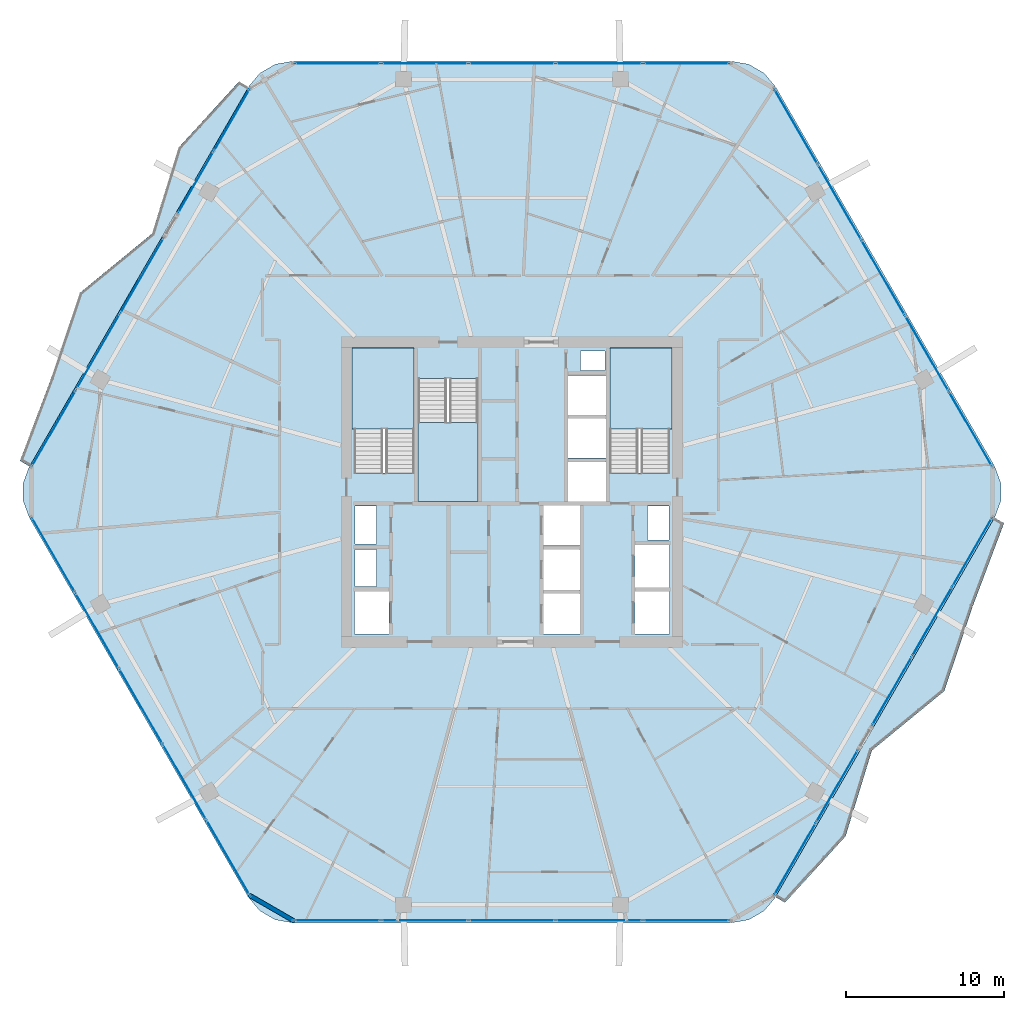
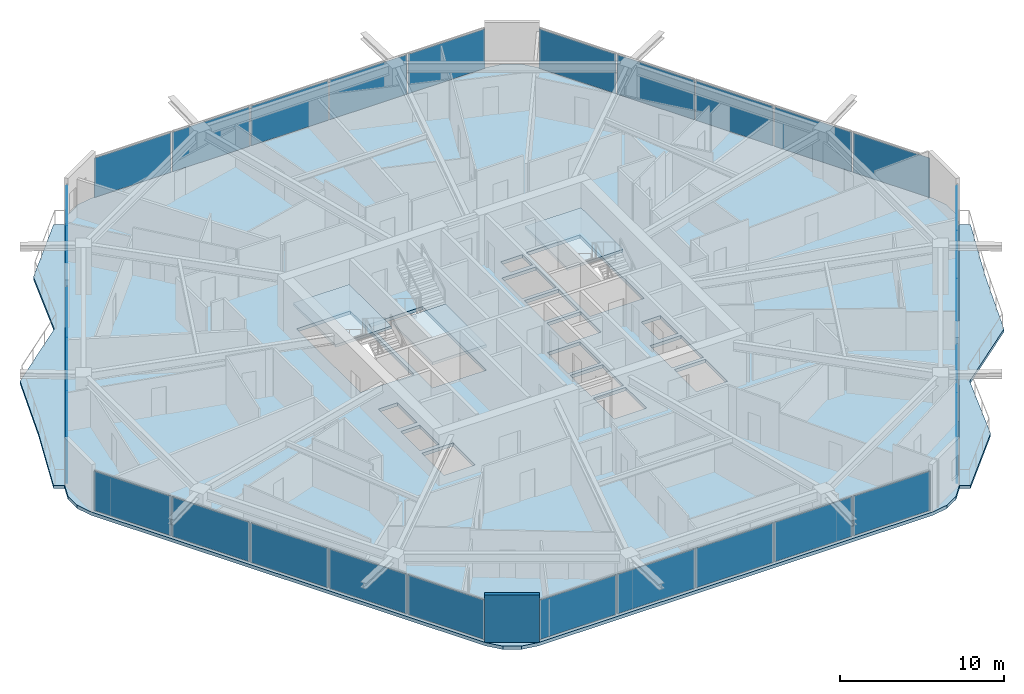
# One storey, part 16 of 26: 30 plates, 6 slabs, 1 wall, 11 elements without a shape of their own.
"""IFC4 building model written with IfcOpenShell, lengths in metres."""

import ifcopenshell
import ifcopenshell.guid

model = None  # the IFC model being written
_history = None  # IfcOwnerHistory: only IFC2X3 demands one
_inside = {}  # id of a spatial element -> (the spatial element, [elements in it])
_under = {}  # id of a project, library or spatial element -> (it, [spatial elements below it])
_declared = {}  # id of a project -> (the project, [libraries it declares])
_typed = {}  # id of a type object -> (the type object, [elements of that type])
_made_of = {}  # id of a material, layer set ... -> (it, [elements and type objects made of it])


def new_model(schema):
    """Start an empty IFC model of exactly this schema.

    Asked for "IFC4X3", IfcOpenShell would pick the latest addendum, in which some entities
    have other attributes; the version numbers below select the first issue.
    IFC2X3 requires an IfcOwnerHistory on every rooted entity: one is made here for all.
    """
    global model, _history
    if schema == "IFC4X3":
        model = ifcopenshell.file(schema_version=(4, 3, 0, 0))
    else:
        model = ifcopenshell.file(schema=schema)
    _inside.clear()
    _under.clear()
    _declared.clear()
    _typed.clear()
    _made_of.clear()
    _history = None
    if model.schema == "IFC2X3":
        org = make("IfcOrganization", Name="unknown")
        user = make(
            "IfcPersonAndOrganization",
            ThePerson=make("IfcPerson", FamilyName="unknown"),
            TheOrganization=org,
        )
        app = make(
            "IfcApplication",
            ApplicationDeveloper=org,
            Version="unknown",
            ApplicationFullName="unknown",
            ApplicationIdentifier="unknown",
        )
        _history = make(
            "IfcOwnerHistory",
            OwningUser=user,
            OwningApplication=app,
            ChangeAction="ADDED",
            CreationDate=0,
        )
    return model


def make(cls, **values):
    """One entity of the class cls with the attributes given. An attribute that is None is left unset."""
    return model.create_entity(
        cls, **{name: value for name, value in values.items() if value is not None}
    )


def rooted(cls, **values):
    """An entity with a GlobalId (a new one), such as an element, a storey or a relation."""
    return make(cls, GlobalId=ifcopenshell.guid.new(), OwnerHistory=_history, **values)


def si_unit(unit_type, name, prefix=None):
    """IfcSIUnit, for example si_unit("LENGTHUNIT", "METRE", prefix="MILLI")."""
    return make("IfcSIUnit", UnitType=unit_type, Prefix=prefix, Name=name)


def assignment(units):
    """IfcUnitAssignment: the units of a project."""
    return None if units is None else make("IfcUnitAssignment", Units=units)


def point(xyz):
    """IfcCartesianPoint."""
    return None if xyz is None else make("IfcCartesianPoint", Coordinates=xyz)


def direction(xyz):
    """IfcDirection."""
    return None if xyz is None else make("IfcDirection", DirectionRatios=xyz)


def frame(location, z_axis=None, x_axis=None):
    """IfcAxis2Placement3D, a coordinate frame: its origin and axes. An axis left out is left unset."""
    return make(
        "IfcAxis2Placement3D",
        Location=point(location),
        Axis=direction(z_axis),
        RefDirection=direction(x_axis),
    )


def frame_2d(location, x_axis=None):
    """IfcAxis2Placement2D, a coordinate frame in the plane: its origin and x axis."""
    return make(
        "IfcAxis2Placement2D", Location=point(location), RefDirection=direction(x_axis)
    )


def origin():
    """The frame at (0, 0, 0) with its axes left unset."""
    return frame((0.0, 0.0, 0.0))


def origin_2d():
    """The frame at (0, 0) in the plane with its x axis left unset."""
    return frame_2d((0.0, 0.0))


def place(relative_to, where):
    """IfcLocalPlacement: puts the frame where relative to a parent placement (None: the world)."""
    return make(
        "IfcLocalPlacement", PlacementRelTo=relative_to, RelativePlacement=where
    )


def context(
    kind, dimensions, precision=None, world=None, true_north=None, identifier=None
):
    """IfcGeometricRepresentationContext, for example the 3D "Model" context."""
    return make(
        "IfcGeometricRepresentationContext",
        ContextIdentifier=identifier,
        ContextType=kind,
        CoordinateSpaceDimension=dimensions,
        Precision=precision,
        WorldCoordinateSystem=world,
        TrueNorth=true_north,
    )


def subcontext(parent, identifier, kind, view, scale=None):
    """IfcGeometricRepresentationSubContext, for example "Body" below "Model"."""
    return make(
        "IfcGeometricRepresentationSubContext",
        ContextIdentifier=identifier,
        ContextType=kind,
        ParentContext=parent,
        TargetScale=scale,
        TargetView=view,
    )


def project(units=None, contexts=None):
    """IfcProject with its units and contexts."""
    return rooted(
        "IfcProject",
        Name="project",
        RepresentationContexts=contexts,
        UnitsInContext=assignment(units),
    )


def spatial(cls, under=None, at=None, **own):
    """A site, building, storey or space (cls), placed at a placement, below another one or the project."""
    s = rooted(cls, ObjectPlacement=at, **own)
    if under is not None:
        _under.setdefault(under.id(), (under, []))[1].append(s)
    return s


def polyline(points):
    """IfcPolyline through the points."""
    return make("IfcPolyline", Points=[point(p) for p in points])


def profile(cls, at=None, kind="AREA", **sizes):
    """A parametric profile (cls). Its sizes go by their IFC names, for example OverallWidth=200.0."""
    return make(cls, ProfileType=kind, Position=at, **sizes)


def rectangle(**sizes):
    """IfcRectangleProfileDef."""
    return profile("IfcRectangleProfileDef", **sizes)


def outline(outer, holes=None, kind="AREA"):
    """IfcArbitraryClosedProfileDef: a profile drawn as a closed curve; with holes, ...WithVoids."""
    if holes is None:
        return make("IfcArbitraryClosedProfileDef", ProfileType=kind, OuterCurve=outer)
    return make(
        "IfcArbitraryProfileDefWithVoids",
        ProfileType=kind,
        OuterCurve=outer,
        InnerCurves=holes,
    )


def extrude(swept, where, along, depth):
    """IfcExtrudedAreaSolid: the profile swept, set in the frame where, extruded along a direction by depth."""
    return make(
        "IfcExtrudedAreaSolid",
        SweptArea=swept,
        Position=where,
        ExtrudedDirection=direction(along),
        Depth=depth,
    )


def shape(context_of_items, identifier, shape_type, items):
    """IfcShapeRepresentation: the items that make up one representation, for example the "Body"."""
    return make(
        "IfcShapeRepresentation",
        ContextOfItems=context_of_items,
        RepresentationIdentifier=identifier,
        RepresentationType=shape_type,
        Items=items,
    )


def material(Name=None, Category=None):
    """IfcMaterial."""
    return make("IfcMaterial", Name=Name, Category=Category)


def layer(
    of_material, thickness, ventilated=None, Name=None, Category=None, Priority=None
):
    """IfcMaterialLayer: one layer of a wall or slab, of a material (None: an air gap)."""
    return make(
        "IfcMaterialLayer",
        Material=of_material,
        LayerThickness=thickness,
        IsVentilated=ventilated,
        Name=Name,
        Category=Category,
        Priority=Priority,
    )


def layer_set(layers, Name=None):
    """IfcMaterialLayerSet."""
    return make("IfcMaterialLayerSet", MaterialLayers=layers, LayerSetName=Name)


def made_of(thing, what):
    """Note that an element or type object is made of a material, layer set ...; save() writes the relation."""
    if what is not None:
        _made_of.setdefault(what.id(), (what, []))[1].append(thing)
    return thing


def type_object(cls, material=None, **own):
    """A type object (cls), such as IfcWallType, which elements share."""
    return made_of(rooted(cls, **own), material)


def element(
    cls,
    number,
    at=None,
    inside=None,
    cuts=None,
    type_object=None,
    material=None,
    context=None,
    identifier="Body",
    shape_type=None,
    held_by="IfcProductDefinitionShape",
    body=None,
    shapes=None,
    **own,
):
    """One element of the class cls, such as IfcWall. Its Tag is "e" and its number.

    at: its placement. inside: the storey or other place that contains it. cuts: it is an
    opening in that element (IfcRelVoidsElement). A single representation is given by context,
    identifier, shape_type and body (its items); several are given by shapes. held_by: the class
    of the entity that holds the representations. save() writes the other relations.
    """
    e = rooted(cls, Tag="e%d" % number, ObjectPlacement=at, **own)
    if body is not None:
        shapes = [shape(context, identifier, shape_type, body)]
    if shapes is not None:
        e.Representation = make(held_by, Representations=shapes)
    if inside is not None:
        _inside.setdefault(inside.id(), (inside, []))[1].append(e)
    if cuts is not None:
        rooted(
            "IfcRelVoidsElement", RelatingBuildingElement=cuts, RelatedOpeningElement=e
        )
    if type_object is not None:
        _typed.setdefault(type_object.id(), (type_object, []))[1].append(e)
    return made_of(e, material)


def aggregate(whole, parts):
    """IfcRelAggregates: a whole, such as a stair, and the parts it consists of."""
    return rooted("IfcRelAggregates", RelatingObject=whole, RelatedObjects=parts)


def save(model, path):
    """Write the relations noted so far, then the file.

    IfcRelAggregates (storeys below a building ...), IfcRelContainedInSpatialStructure (elements
    in a storey), IfcRelDefinesByType, IfcRelAssociatesMaterial and IfcRelDeclares: one each for
    every whole, place, type object, material and project.
    """
    for whole, parts in _under.values():
        aggregate(whole, parts)
    for where, things in _inside.values():
        rooted(
            "IfcRelContainedInSpatialStructure",
            RelatedElements=things,
            RelatingStructure=where,
        )
    for kind, things in _typed.values():
        rooted("IfcRelDefinesByType", RelatedObjects=things, RelatingType=kind)
    for what, things in _made_of.values():
        rooted("IfcRelAssociatesMaterial", RelatedObjects=things, RelatingMaterial=what)
    for by, libraries in _declared.values():
        rooted("IfcRelDeclares", RelatingContext=by, RelatedDefinitions=libraries)
    model.write(path)


model = new_model("IFC4")

# Units and contexts
model_context = context("Model", 3, precision=1e-05, world=origin(), true_north=direction((0.0, 1.0)))
body_context = subcontext(model_context, "Body", "Model", "MODEL_VIEW")
ifc_project = project(units=[si_unit("LENGTHUNIT", "METRE"), si_unit("AREAUNIT", "SQUARE_METRE"), si_unit("VOLUMEUNIT", "CUBIC_METRE"), si_unit("PLANEANGLEUNIT", "RADIAN"), si_unit("MASSUNIT", "GRAM", prefix="KILO")], contexts=[model_context])

# Site, building, storey
site_placement = place(None, origin())
site = spatial("IfcSite", under=ifc_project, at=site_placement, CompositionType="ELEMENT")
building_placement = place(site_placement, origin())
building = spatial("IfcBuilding", under=site, at=building_placement, Name="Zuhravey Tower", CompositionType="ELEMENT")
storey_placement = place(building_placement, frame((0.0, 0.0, 165.60009765625)))
storey = spatial("IfcBuildingStorey", under=building, at=storey_placement, Name="L41", CompositionType="ELEMENT", Elevation=165.60009765625)

# Slabs
ifc_material_1 = material(Name="Concrete C50/60", Category="concrete")
ifc_layer_1 = layer(ifc_material_1, 0.25)
ifc_layer_set_1 = layer_set([ifc_layer_1], Name="Concrete C50/60")
slab_type_1 = type_object("IfcSlabType", Name="Residential Acoustic Slab 250", PredefinedType="FLOOR", material=ifc_layer_set_1)
slab_1_placement = place(storey_placement, frame((0.0, 0.0, -0.25)))
element("IfcSlab", 1, at=slab_1_placement, inside=storey, type_object=slab_type_1, Name="L41 Floor Slab FS25", PredefinedType="FLOOR", context=body_context, shape_type="SweptSolid", body=[
    extrude(outline(polyline([(66.61181640625, 30.375), (66.997802734375, 31.435546875), (66.997802734375, 32.564453125), (66.61181640625, 33.625), (52.713134765625, 57.697998046875), (51.98779296875, 58.562744140625), (51.01025390625, 59.127197265625), (49.898681640625, 59.322998046875), (22.101318359375, 59.322998046875), (20.98974609375, 59.127197265625), (20.01220703125, 58.562744140625), (19.286865234375, 57.697998046875), (5.38818359375, 33.625), (5.002197265625, 32.564453125), (5.002197265625, 31.435546875), (5.38818359375, 30.375), (19.286865234375, 6.302001953125), (20.01220703125, 5.437255859375), (20.98974609375, 4.872802734375), (22.101318359375, 4.677001953125), (49.898681640625, 4.677001953125), (51.01025390625, 4.872802734375), (51.98779296875, 5.437255859375), (52.713134765625, 6.302001953125), (66.61181640625, 30.375)]), holes=[polyline([(29.800048828125, 33.20068359375), (29.800048828125, 41.0), (26.0, 41.0), (26.0, 33.20068359375), (29.800048828125, 33.20068359375)]), polyline([(46.0, 33.20068359375), (46.0, 41.0), (42.199951171875, 41.0), (42.199951171875, 33.20068359375), (46.0, 33.20068359375)]), polyline([(30.050048828125, 39.199462890625), (30.050048828125, 31.39990234375), (33.85009765625, 31.39990234375), (33.85009765625, 39.199462890625), (30.050048828125, 39.199462890625)]), polyline([(38.0, 23.0), (40.300048828125, 23.0), (40.300048828125, 25.550048828125), (38.0, 25.550048828125), (38.0, 23.0)]), polyline([(38.0, 25.800048828125), (40.300048828125, 25.800048828125), (40.300048828125, 28.35009765625), (38.0, 28.35009765625), (38.0, 25.800048828125)]), polyline([(38.0, 28.60009765625), (40.300048828125, 28.60009765625), (40.300048828125, 31.14990234375), (38.0, 31.14990234375), (38.0, 28.60009765625)]), polyline([(39.550048828125, 31.39990234375), (41.949951171875, 31.39990234375), (41.949951171875, 33.89990234375), (39.550048828125, 33.89990234375), (39.550048828125, 31.39990234375)]), polyline([(39.550048828125, 34.14990234375), (41.949951171875, 34.14990234375), (41.949951171875, 36.64990234375), (39.550048828125, 36.64990234375), (39.550048828125, 34.14990234375)]), polyline([(39.550048828125, 36.89990234375), (41.949951171875, 36.89990234375), (41.949951171875, 39.39990234375), (39.550048828125, 39.39990234375), (39.550048828125, 36.89990234375)]), polyline([(26.0, 23.0), (28.199951171875, 23.0), (28.199951171875, 25.699951171875), (26.0, 25.699951171875), (26.0, 23.0)]), polyline([(43.800048828125, 23.0), (46.0, 23.0), (46.0, 25.699951171875), (43.800048828125, 25.699951171875), (43.800048828125, 23.0)]), polyline([(43.800048828125, 25.949951171875), (46.0, 25.949951171875), (46.0, 28.64990234375), (43.800048828125, 28.64990234375), (43.800048828125, 25.949951171875)]), polyline([(26.050048828125, 26.0), (27.39990234375, 26.0), (27.39990234375, 28.35009765625), (26.050048828125, 28.35009765625), (26.050048828125, 26.0)]), polyline([(26.050048828125, 28.699951171875), (27.39990234375, 28.699951171875), (27.39990234375, 31.10009765625), (26.050048828125, 31.10009765625), (26.050048828125, 28.699951171875)]), polyline([(44.60009765625, 28.949951171875), (45.949951171875, 28.949951171875), (45.949951171875, 31.10009765625), (44.60009765625, 31.10009765625), (44.60009765625, 28.949951171875)]), polyline([(40.35009765625, 39.699951171875), (41.89990234375, 39.699951171875), (41.89990234375, 40.949951171875), (40.35009765625, 40.949951171875), (40.35009765625, 39.699951171875)])]), origin(), (0.0, 0.0, 1.0), 0.25),
])
ifc_material_2 = material(Name="Concrete C40/50", Category="concrete")
ifc_layer_2 = layer(ifc_material_2, 0.219970703125)
ifc_layer_set_2 = layer_set([ifc_layer_2], Name="Concrete C40/50")
slab_type_2 = type_object("IfcSlabType", Name="Sinusoidal Residential Wave Balcony 220", PredefinedType="FLOOR", material=ifc_layer_set_2)
slab_2_placement = place(storey_placement, frame((0.0, 0.0, -0.22021484375)))
element("IfcSlab", 2, at=slab_2_placement, inside=storey, type_object=slab_type_2, Name="L41 Face 6 Wave Balcony WB22", PredefinedType="FLOOR", context=body_context, shape_type="SweptSolid", body=[
    extrude(outline(polyline([(52.70458984375, 6.31689453125), (66.594482421875, 30.375), (67.20068359375, 30.02490234375), (65.21630859375, 24.755126953125), (63.413330078125, 19.380615234375), (58.823974609375, 15.61474609375), (57.1494140625, 10.166259765625), (53.310791015625, 5.966796875), (52.70458984375, 6.31689453125)])), origin(), (0.0, 0.0, 1.0), 0.22021484375),
])
slab_3_placement = place(storey_placement, frame((0.0, 0.0, -0.22021484375)))
element("IfcSlab", 3, at=slab_3_placement, inside=storey, type_object=slab_type_2, Name="L41 Face 3 Wave Balcony WB22", PredefinedType="FLOOR", context=body_context, shape_type="SweptSolid", body=[
    extrude(outline(polyline([(19.29541015625, 57.68310546875), (5.405517578125, 33.625), (4.79931640625, 33.97509765625), (6.78369140625, 39.244873046875), (8.586669921875, 44.619384765625), (13.176025390625, 48.38525390625), (14.8505859375, 53.833740234375), (18.689208984375, 58.033203125), (19.29541015625, 57.68310546875)])), origin(), (0.0, 0.0, 1.0), 0.22021484375),
])

# Stair, slab
stair_type = type_object("IfcStairType", Name="Housing Storey Stair Assembly 3800", PredefinedType="HALF_TURN_STAIR", material=ifc_material_2)
stair_1_placement = place(storey_placement, origin())
stair_1 = element("IfcStair", 4, at=stair_1_placement, inside=storey, type_object=stair_type, Name="L41 Core Exit Stair ST1", PredefinedType="HALF_TURN_STAIR")
ifc_layer_3 = layer(ifc_material_2, 0.199951171875)
ifc_layer_set_3 = layer_set([ifc_layer_3], Name="Concrete C40/50")
slab_type_3 = type_object("IfcSlabType", Name="Stair Landing Slab 200", PredefinedType="LANDING", material=ifc_layer_set_3)
slab_4_placement = place(storey_placement, frame((0.0, 0.0, 1.699951171875)))
slab_4 = element("IfcSlab", 5, at=slab_4_placement, type_object=slab_type_3, Name="ST1 landing 1", PredefinedType="LANDING", context=body_context, shape_type="SweptSolid", body=[
    extrude(outline(polyline([(29.800048828125, 36.0), (29.800048828125, 41.14794921875), (25.85205078125, 41.14794921875), (25.85205078125, 36.0), (29.800048828125, 36.0)])), origin(), (0.0, 0.0, 1.0), 0.199951171875),
])
aggregate(stair_1, [slab_4])

stair_2_placement = place(storey_placement, origin())
stair_2 = element("IfcStair", 6, at=stair_2_placement, inside=storey, type_object=stair_type, Name="L41 Core Exit Stair ST2", PredefinedType="HALF_TURN_STAIR")
slab_5_placement = place(storey_placement, frame((0.0, 0.0, 1.699951171875)))
slab_5 = element("IfcSlab", 7, at=slab_5_placement, type_object=slab_type_3, Name="ST2 landing 1", PredefinedType="LANDING", context=body_context, shape_type="SweptSolid", body=[
    extrude(outline(polyline([(46.14794921875, 36.0), (46.14794921875, 41.14794921875), (42.199951171875, 41.14794921875), (42.199951171875, 36.0), (46.14794921875, 36.0)])), origin(), (0.0, 0.0, 1.0), 0.199951171875),
])
aggregate(stair_2, [slab_5])

stair_3_placement = place(storey_placement, origin())
stair_3 = element("IfcStair", 8, at=stair_3_placement, inside=storey, type_object=stair_type, Name="L41 Core Exit Stair ST3", PredefinedType="HALF_TURN_STAIR")
slab_6_placement = place(storey_placement, frame((0.0, 0.0, 1.699951171875)))
slab_6 = element("IfcSlab", 9, at=slab_6_placement, type_object=slab_type_3, Name="ST3 landing 1", PredefinedType="LANDING", context=body_context, shape_type="SweptSolid", body=[
    extrude(outline(polyline([(30.050048828125, 36.39990234375), (30.050048828125, 31.39990234375), (33.85009765625, 31.39990234375), (33.85009765625, 36.39990234375), (30.050048828125, 36.39990234375)])), origin(), (0.0, 0.0, 1.0), 0.199951171875),
])
aggregate(stair_3, [slab_6])

# Curtain wall, plates
ifc_material_3 = material(Name="Thermally broken anodised aluminium", Category="aluminium")
curtain_wall_type = type_object("IfcCurtainWallType", Name="Zone 1-2 Residential Curtain Wall CW3", PredefinedType="NOTDEFINED", material=ifc_material_3)
curtain_wall_1_placement = place(storey_placement, origin())
curtain_wall_1 = element("IfcCurtainWall", 10, at=curtain_wall_1_placement, inside=storey, type_object=curtain_wall_type, Name="L41 CW3 CW-L41-F6-1", PredefinedType="NOTDEFINED")
ifc_material_4 = material(Name="Triple low-E insulated vision glass", Category="glass")
ifc_layer_4 = layer(ifc_material_4, 0.0419921875)
ifc_layer_set_4 = layer_set([ifc_layer_4], Name="Triple low-E insulated vision glass")
plate_type = type_object("IfcPlateType", Name="Triple Low-E Vision Panel", PredefinedType="CURTAIN_PANEL", material=ifc_layer_set_4)
plate_1_placement = place(storey_placement, frame((65.183349609375, 28.1806640625, 0.08984375), z_axis=(0.0, 0.0, 1.0), x_axis=(-0.499999947974, -0.866025433822, 0.0)))
plate_1 = element("IfcPlate", 11, at=plate_1_placement, type_object=plate_type, Name="CW3 panel 1.1", PredefinedType="CURTAIN_PANEL", context=body_context, shape_type="SweptSolid", body=[
    extrude(rectangle(XDim=4.973876953125, YDim=0.0419921875, at=origin_2d()), origin(), (0.0, 0.0, 1.0), 2.94189453125),
])
plate_2_placement = place(storey_placement, frame((62.64013671875, 23.77587890625, 0.08984375), z_axis=(0.0, 0.0, 1.0), x_axis=(-0.499999947974, -0.866025433822, 0.0)))
plate_2 = element("IfcPlate", 12, at=plate_2_placement, type_object=plate_type, Name="CW3 panel 2.1", PredefinedType="CURTAIN_PANEL", context=body_context, shape_type="SweptSolid", body=[
    extrude(rectangle(XDim=5.01904296875, YDim=0.0419921875, at=origin_2d()), origin(), (0.0, 0.0, 1.0), 2.94189453125),
])
plate_3_placement = place(storey_placement, frame((60.096923828125, 19.370849609375, 0.08984375), z_axis=(0.0, 0.0, 1.0), x_axis=(-0.499999947974, -0.866025433822, 0.0)))
plate_3 = element("IfcPlate", 13, at=plate_3_placement, type_object=plate_type, Name="CW3 panel 3.1", PredefinedType="CURTAIN_PANEL", context=body_context, shape_type="SweptSolid", body=[
    extrude(rectangle(XDim=4.973876953125, YDim=0.0419921875, at=origin_2d()), origin(), (0.0, 0.0, 1.0), 2.94189453125),
])
aggregate(curtain_wall_1, [plate_1, plate_2, plate_3])

curtain_wall_2_placement = place(storey_placement, origin())
curtain_wall_2 = element("IfcCurtainWall", 14, at=curtain_wall_2_placement, inside=storey, type_object=curtain_wall_type, Name="L41 CW3 CW-L41-F6-2", PredefinedType="NOTDEFINED")
plate_4_placement = place(storey_placement, frame((56.610107421875, 13.331787109375, 0.08984375), z_axis=(0.0, 0.0, 1.0), x_axis=(-0.499999518361, -0.866025681859, 0.0)))
plate_4 = element("IfcPlate", 15, at=plate_4_placement, type_object=plate_type, Name="CW3 panel 1.1", PredefinedType="CURTAIN_PANEL", context=body_context, shape_type="SweptSolid", body=[
    extrude(rectangle(XDim=5.212646484375, YDim=0.0419921875, at=origin_2d()), origin(), (0.0, 0.0, 1.0), 2.94189453125),
])
plate_5_placement = place(storey_placement, frame((53.958984375, 8.739501953125, 0.08984375), z_axis=(0.0, 0.0, 1.0), x_axis=(-0.499999518361, -0.866025681859, 0.0)))
plate_5 = element("IfcPlate", 16, at=plate_5_placement, type_object=plate_type, Name="CW3 panel 2.1", PredefinedType="CURTAIN_PANEL", context=body_context, shape_type="SweptSolid", body=[
    extrude(rectangle(XDim=5.212646484375, YDim=0.0419921875, at=origin_2d()), origin(), (0.0, 0.0, 1.0), 2.94189453125),
])
aggregate(curtain_wall_2, [plate_4, plate_5])

curtain_wall_3_placement = place(storey_placement, origin())
curtain_wall_3 = element("IfcCurtainWall", 17, at=curtain_wall_3_placement, inside=storey, type_object=curtain_wall_type, Name="L41 CW3 CW-L41-F5-1", PredefinedType="NOTDEFINED")
plate_6_placement = place(storey_placement, frame((47.06640625, 4.81689453125, 0.08984375), z_axis=(0.0, 0.0, 1.0), x_axis=(-1.0, 0.0, 0.0)))
plate_6 = element("IfcPlate", 18, at=plate_6_placement, type_object=plate_type, Name="CW3 panel 1.1", PredefinedType="CURTAIN_PANEL", context=body_context, shape_type="SweptSolid", body=[
    extrude(rectangle(XDim=5.409423828125, YDim=0.0419921875, at=origin_2d()), origin(), (0.0, 0.0, 1.0), 2.94189453125),
])
plate_7_placement = place(storey_placement, frame((41.54443359375, 4.81689453125, 0.08984375), z_axis=(0.0, 0.0, 1.0), x_axis=(-1.0, 0.0, 0.0)))
plate_7 = element("IfcPlate", 19, at=plate_7_placement, type_object=plate_type, Name="CW3 panel 2.1", PredefinedType="CURTAIN_PANEL", context=body_context, shape_type="SweptSolid", body=[
    extrude(rectangle(XDim=5.454345703125, YDim=0.0419921875, at=origin_2d()), origin(), (0.0, 0.0, 1.0), 2.94189453125),
])
plate_8_placement = place(storey_placement, frame((36.0, 4.81689453125, 0.08984375), z_axis=(0.0, 0.0, 1.0), x_axis=(-1.0, 0.0, 0.0)))
plate_8 = element("IfcPlate", 20, at=plate_8_placement, type_object=plate_type, Name="CW3 panel 3.1", PredefinedType="CURTAIN_PANEL", context=body_context, shape_type="SweptSolid", body=[
    extrude(rectangle(XDim=5.454345703125, YDim=0.0419921875, at=origin_2d()), origin(), (0.0, 0.0, 1.0), 2.94189453125),
])
plate_9_placement = place(storey_placement, frame((30.45556640625, 4.81689453125, 0.08984375), z_axis=(0.0, 0.0, 1.0), x_axis=(-1.0, 0.0, 0.0)))
plate_9 = element("IfcPlate", 21, at=plate_9_placement, type_object=plate_type, Name="CW3 panel 4.1", PredefinedType="CURTAIN_PANEL", context=body_context, shape_type="SweptSolid", body=[
    extrude(rectangle(XDim=5.454345703125, YDim=0.0419921875, at=origin_2d()), origin(), (0.0, 0.0, 1.0), 2.94189453125),
])
plate_10_placement = place(storey_placement, frame((24.93359375, 4.81689453125, 0.08984375), z_axis=(0.0, 0.0, 1.0), x_axis=(-1.0, 0.0, 0.0)))
plate_10 = element("IfcPlate", 22, at=plate_10_placement, type_object=plate_type, Name="CW3 panel 5.1", PredefinedType="CURTAIN_PANEL", context=body_context, shape_type="SweptSolid", body=[
    extrude(rectangle(XDim=5.409423828125, YDim=0.0419921875, at=origin_2d()), origin(), (0.0, 0.0, 1.0), 2.94189453125),
])
aggregate(curtain_wall_3, [plate_6, plate_7, plate_8, plate_9, plate_10])

curtain_wall_4_placement = place(storey_placement, origin())
curtain_wall_4 = element("IfcCurtainWall", 23, at=curtain_wall_4_placement, inside=storey, type_object=curtain_wall_type, Name="L41 CW3 CW-L41-F4-1", PredefinedType="NOTDEFINED")
plate_11_placement = place(storey_placement, frame((17.991943359375, 8.82470703125, 0.08984375), z_axis=(0.0, 0.0, 1.0), x_axis=(-0.500000459979, 0.866025138215, 0.0)))
plate_11 = element("IfcPlate", 24, at=plate_11_placement, type_object=plate_type, Name="CW3 panel 1.1", PredefinedType="CURTAIN_PANEL", context=body_context, shape_type="SweptSolid", body=[
    extrude(rectangle(XDim=5.409423828125, YDim=0.0419921875, at=origin_2d()), origin(), (0.0, 0.0, 1.0), 2.94189453125),
])
plate_12_placement = place(storey_placement, frame((15.23095703125, 13.60693359375, 0.08984375), z_axis=(0.0, 0.0, 1.0), x_axis=(-0.500000459979, 0.866025138215, 0.0)))
plate_12 = element("IfcPlate", 25, at=plate_12_placement, type_object=plate_type, Name="CW3 panel 2.1", PredefinedType="CURTAIN_PANEL", context=body_context, shape_type="SweptSolid", body=[
    extrude(rectangle(XDim=5.454345703125, YDim=0.0419921875, at=origin_2d()), origin(), (0.0, 0.0, 1.0), 2.94189453125),
])
plate_13_placement = place(storey_placement, frame((12.458740234375, 18.408447265625, 0.08984375), z_axis=(0.0, 0.0, 1.0), x_axis=(-0.500000459979, 0.866025138215, 0.0)))
plate_13 = element("IfcPlate", 26, at=plate_13_placement, type_object=plate_type, Name="CW3 panel 3.1", PredefinedType="CURTAIN_PANEL", context=body_context, shape_type="SweptSolid", body=[
    extrude(rectangle(XDim=5.454345703125, YDim=0.0419921875, at=origin_2d()), origin(), (0.0, 0.0, 1.0), 2.94189453125),
])
plate_14_placement = place(storey_placement, frame((9.6865234375, 23.2099609375, 0.08984375), z_axis=(0.0, 0.0, 1.0), x_axis=(-0.500000459979, 0.866025138215, 0.0)))
plate_14 = element("IfcPlate", 27, at=plate_14_placement, type_object=plate_type, Name="CW3 panel 4.1", PredefinedType="CURTAIN_PANEL", context=body_context, shape_type="SweptSolid", body=[
    extrude(rectangle(XDim=5.454345703125, YDim=0.0419921875, at=origin_2d()), origin(), (0.0, 0.0, 1.0), 2.94189453125),
])
plate_15_placement = place(storey_placement, frame((6.925537109375, 27.9921875, 0.08984375), z_axis=(0.0, 0.0, 1.0), x_axis=(-0.500000459979, 0.866025138215, 0.0)))
plate_15 = element("IfcPlate", 28, at=plate_15_placement, type_object=plate_type, Name="CW3 panel 5.1", PredefinedType="CURTAIN_PANEL", context=body_context, shape_type="SweptSolid", body=[
    extrude(rectangle(XDim=5.409423828125, YDim=0.0419921875, at=origin_2d()), origin(), (0.0, 0.0, 1.0), 2.94189453125),
])
aggregate(curtain_wall_4, [plate_11, plate_12, plate_13, plate_14, plate_15])

curtain_wall_5_placement = place(storey_placement, origin())
curtain_wall_5 = element("IfcCurtainWall", 29, at=curtain_wall_5_placement, inside=storey, type_object=curtain_wall_type, Name="L41 CW3 CW-L41-F3-1", PredefinedType="NOTDEFINED")
plate_16_placement = place(storey_placement, frame((6.942626953125, 36.037353515625, 0.08984375), z_axis=(0.0, 0.0, 1.0), x_axis=(0.500003491, 0.866023388245, 0.0)))
plate_16 = element("IfcPlate", 30, at=plate_16_placement, type_object=plate_type, Name="CW3 panel 1.1", PredefinedType="CURTAIN_PANEL", context=body_context, shape_type="SweptSolid", body=[
    extrude(rectangle(XDim=5.4775390625, YDim=0.0419921875, at=origin_2d()), origin(), (0.0, 0.0, 1.0), 2.94189453125),
])
plate_17_placement = place(storey_placement, frame((9.73779296875, 40.87841796875, 0.08984375), z_axis=(0.0, 0.0, 1.0), x_axis=(0.500003491, 0.866023388245, 0.0)))
plate_17 = element("IfcPlate", 31, at=plate_17_placement, type_object=plate_type, Name="CW3 panel 2.1", PredefinedType="CURTAIN_PANEL", context=body_context, shape_type="SweptSolid", body=[
    extrude(rectangle(XDim=5.522705078125, YDim=0.0419921875, at=origin_2d()), origin(), (0.0, 0.0, 1.0), 2.94189453125),
])
plate_18_placement = place(storey_placement, frame((12.53271484375, 45.7197265625, 0.08984375), z_axis=(0.0, 0.0, 1.0), x_axis=(0.500003491, 0.866023388245, 0.0)))
plate_18 = element("IfcPlate", 32, at=plate_18_placement, type_object=plate_type, Name="CW3 panel 3.1", PredefinedType="CURTAIN_PANEL", context=body_context, shape_type="SweptSolid", body=[
    extrude(rectangle(XDim=5.4775390625, YDim=0.0419921875, at=origin_2d()), origin(), (0.0, 0.0, 1.0), 2.94189453125),
])
aggregate(curtain_wall_5, [plate_16, plate_17, plate_18])

curtain_wall_6_placement = place(storey_placement, origin())
curtain_wall_6 = element("IfcCurtainWall", 33, at=curtain_wall_6_placement, inside=storey, type_object=curtain_wall_type, Name="L41 CW3 CW-L41-F3-2", PredefinedType="NOTDEFINED")
plate_19_placement = place(storey_placement, frame((15.95654296875, 51.649658203125, 0.08984375), z_axis=(0.0, 0.0, 1.0), x_axis=(0.499997666832, 0.866026750835, 0.0)))
plate_19 = element("IfcPlate", 34, at=plate_19_placement, type_object=plate_type, Name="CW3 panel 1.1", PredefinedType="CURTAIN_PANEL", context=body_context, shape_type="SweptSolid", body=[
    extrude(rectangle(XDim=4.45703125, YDim=0.0419921875, at=origin_2d()), origin(), (0.0, 0.0, 1.0), 2.94189453125),
])
plate_20_placement = place(storey_placement, frame((18.22998046875, 55.587646484375, 0.08984375), z_axis=(0.0, 0.0, 1.0), x_axis=(0.499997666832, 0.866026750835, 0.0)))
plate_20 = element("IfcPlate", 35, at=plate_20_placement, type_object=plate_type, Name="CW3 panel 2.1", PredefinedType="CURTAIN_PANEL", context=body_context, shape_type="SweptSolid", body=[
    extrude(rectangle(XDim=4.45703125, YDim=0.0419921875, at=origin_2d()), origin(), (0.0, 0.0, 1.0), 2.94189453125),
])
aggregate(curtain_wall_6, [plate_19, plate_20])

curtain_wall_7_placement = place(storey_placement, origin())
curtain_wall_7 = element("IfcCurtainWall", 36, at=curtain_wall_7_placement, inside=storey, type_object=curtain_wall_type, Name="L41 CW3 CW-L41-F2-1", PredefinedType="NOTDEFINED")
plate_21_placement = place(storey_placement, frame((24.93359375, 59.18310546875, 0.08984375), z_axis=(0.0, 0.0, 1.0), x_axis=(1.0, 0.0, 0.0)))
plate_21 = element("IfcPlate", 37, at=plate_21_placement, type_object=plate_type, Name="CW3 panel 1.1", PredefinedType="CURTAIN_PANEL", context=body_context, shape_type="SweptSolid", body=[
    extrude(rectangle(XDim=5.409423828125, YDim=0.0419921875, at=origin_2d()), origin(), (0.0, 0.0, 1.0), 2.94189453125),
])
plate_22_placement = place(storey_placement, frame((30.45556640625, 59.18310546875, 0.08984375), z_axis=(0.0, 0.0, 1.0), x_axis=(1.0, 0.0, 0.0)))
plate_22 = element("IfcPlate", 38, at=plate_22_placement, type_object=plate_type, Name="CW3 panel 2.1", PredefinedType="CURTAIN_PANEL", context=body_context, shape_type="SweptSolid", body=[
    extrude(rectangle(XDim=5.454345703125, YDim=0.0419921875, at=origin_2d()), origin(), (0.0, 0.0, 1.0), 2.94189453125),
])
plate_23_placement = place(storey_placement, frame((36.0, 59.18310546875, 0.08984375), z_axis=(0.0, 0.0, 1.0), x_axis=(1.0, 0.0, 0.0)))
plate_23 = element("IfcPlate", 39, at=plate_23_placement, type_object=plate_type, Name="CW3 panel 3.1", PredefinedType="CURTAIN_PANEL", context=body_context, shape_type="SweptSolid", body=[
    extrude(rectangle(XDim=5.454345703125, YDim=0.0419921875, at=origin_2d()), origin(), (0.0, 0.0, 1.0), 2.94189453125),
])
plate_24_placement = place(storey_placement, frame((41.54443359375, 59.18310546875, 0.08984375), z_axis=(0.0, 0.0, 1.0), x_axis=(1.0, 0.0, 0.0)))
plate_24 = element("IfcPlate", 40, at=plate_24_placement, type_object=plate_type, Name="CW3 panel 4.1", PredefinedType="CURTAIN_PANEL", context=body_context, shape_type="SweptSolid", body=[
    extrude(rectangle(XDim=5.454345703125, YDim=0.0419921875, at=origin_2d()), origin(), (0.0, 0.0, 1.0), 2.94189453125),
])
plate_25_placement = place(storey_placement, frame((47.06640625, 59.18310546875, 0.08984375), z_axis=(0.0, 0.0, 1.0), x_axis=(1.0, 0.0, 0.0)))
plate_25 = element("IfcPlate", 41, at=plate_25_placement, type_object=plate_type, Name="CW3 panel 5.1", PredefinedType="CURTAIN_PANEL", context=body_context, shape_type="SweptSolid", body=[
    extrude(rectangle(XDim=5.409423828125, YDim=0.0419921875, at=origin_2d()), origin(), (0.0, 0.0, 1.0), 2.94189453125),
])
aggregate(curtain_wall_7, [plate_21, plate_22, plate_23, plate_24, plate_25])

curtain_wall_8_placement = place(storey_placement, origin())
curtain_wall_8 = element("IfcCurtainWall", 42, at=curtain_wall_8_placement, inside=storey, type_object=curtain_wall_type, Name="L41 CW3 CW-L41-F1-1", PredefinedType="NOTDEFINED")
plate_26_placement = place(storey_placement, frame((54.008056640625, 55.17529296875, 0.08984375), z_axis=(0.0, 0.0, 1.0), x_axis=(0.500000459979, -0.866025138215, 0.0)))
plate_26 = element("IfcPlate", 43, at=plate_26_placement, type_object=plate_type, Name="CW3 panel 1.1", PredefinedType="CURTAIN_PANEL", context=body_context, shape_type="SweptSolid", body=[
    extrude(rectangle(XDim=5.409423828125, YDim=0.0419921875, at=origin_2d()), origin(), (0.0, 0.0, 1.0), 2.94189453125),
])
plate_27_placement = place(storey_placement, frame((56.76904296875, 50.39306640625, 0.08984375), z_axis=(0.0, 0.0, 1.0), x_axis=(0.500000459979, -0.866025138215, 0.0)))
plate_27 = element("IfcPlate", 44, at=plate_27_placement, type_object=plate_type, Name="CW3 panel 2.1", PredefinedType="CURTAIN_PANEL", context=body_context, shape_type="SweptSolid", body=[
    extrude(rectangle(XDim=5.454345703125, YDim=0.0419921875, at=origin_2d()), origin(), (0.0, 0.0, 1.0), 2.94189453125),
])
plate_28_placement = place(storey_placement, frame((59.541259765625, 45.591552734375, 0.08984375), z_axis=(0.0, 0.0, 1.0), x_axis=(0.500000459979, -0.866025138215, 0.0)))
plate_28 = element("IfcPlate", 45, at=plate_28_placement, type_object=plate_type, Name="CW3 panel 3.1", PredefinedType="CURTAIN_PANEL", context=body_context, shape_type="SweptSolid", body=[
    extrude(rectangle(XDim=5.454345703125, YDim=0.0419921875, at=origin_2d()), origin(), (0.0, 0.0, 1.0), 2.94189453125),
])
plate_29_placement = place(storey_placement, frame((62.3134765625, 40.7900390625, 0.08984375), z_axis=(0.0, 0.0, 1.0), x_axis=(0.500000459979, -0.866025138215, 0.0)))
plate_29 = element("IfcPlate", 46, at=plate_29_placement, type_object=plate_type, Name="CW3 panel 4.1", PredefinedType="CURTAIN_PANEL", context=body_context, shape_type="SweptSolid", body=[
    extrude(rectangle(XDim=5.454345703125, YDim=0.0419921875, at=origin_2d()), origin(), (0.0, 0.0, 1.0), 2.94189453125),
])
plate_30_placement = place(storey_placement, frame((65.074462890625, 36.0078125, 0.08984375), z_axis=(0.0, 0.0, 1.0), x_axis=(0.500000459979, -0.866025138215, 0.0)))
plate_30 = element("IfcPlate", 47, at=plate_30_placement, type_object=plate_type, Name="CW3 panel 5.1", PredefinedType="CURTAIN_PANEL", context=body_context, shape_type="SweptSolid", body=[
    extrude(rectangle(XDim=5.409423828125, YDim=0.0419921875, at=origin_2d()), origin(), (0.0, 0.0, 1.0), 2.94189453125),
])
aggregate(curtain_wall_8, [plate_26, plate_27, plate_28, plate_29, plate_30])

# Wall
ifc_material_5 = material(Name="Precast concrete C40/50", Category="concrete")
ifc_layer_5 = layer(ifc_material_5, 0.280029296875)
ifc_layer_set_5 = layer_set([ifc_layer_5], Name="Precast concrete C40/50")
wall_type = type_object("IfcWallType", Name="Crown Architectural Wall 280", PredefinedType="SOLIDWALL", material=ifc_layer_set_5)
wall_placement = place(storey_placement, frame((22.22119140625, 4.769287109375, 0.0), z_axis=(0.0, 0.0, 1.0), x_axis=(-0.866020068361, 0.500009241111, 0.0)))
element("IfcWall", 48, at=wall_placement, inside=storey, type_object=wall_type, Name="L41 Rounded Corner Closure Wall EW28-04", PredefinedType="SOLIDWALL", context=body_context, shape_type="SweptSolid", body=[
    extrude(rectangle(XDim=3.365234375, YDim=0.280029296875, at=frame_2d((1.6826171875, 0.0))), origin(), (0.0, 0.0, 1.0), 3.5498046875),
])

save(model, "model.ifc")
